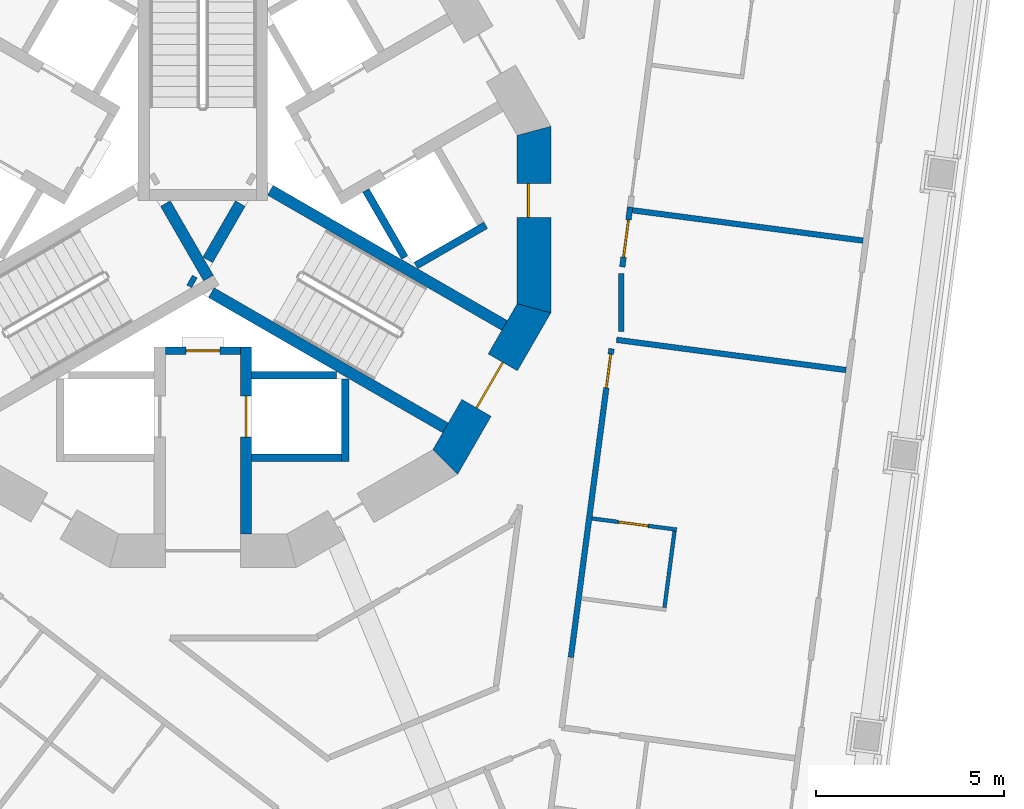
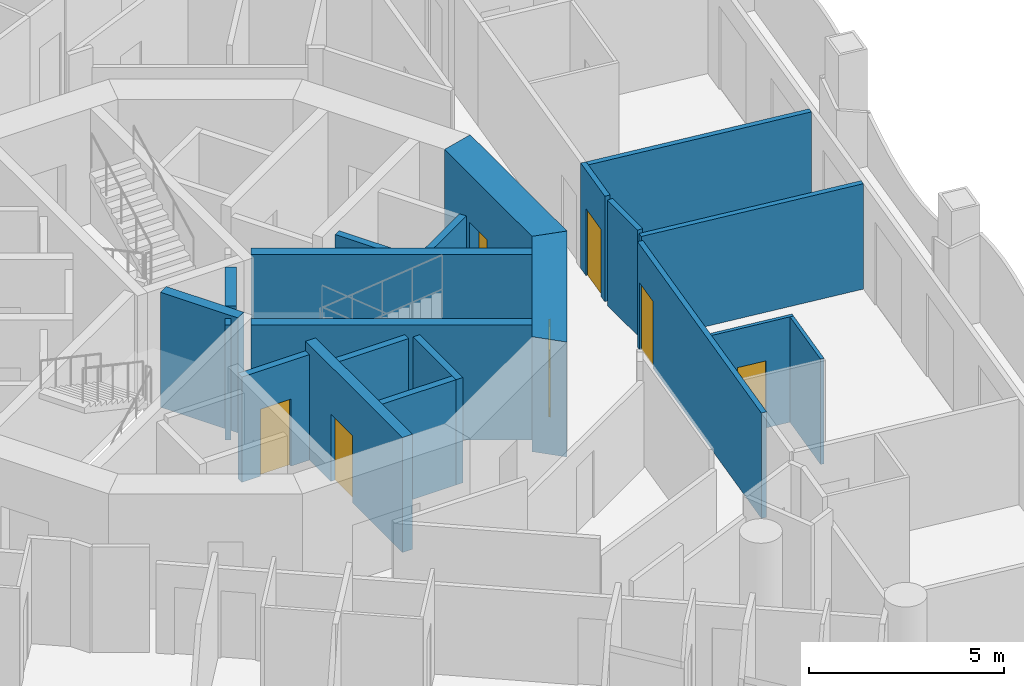
# One storey, part 5 of 17: 21 walls, 7 doors, 7 openings.
"""IFC4 building model written with IfcOpenShell, lengths in metres."""

from ifc_helpers import new_model, si_unit, direction, frame, frame_2d, origin, place, context, subcontext, project, spatial, polyline, rectangle, outline, extrude, material, layer, layer_set, type_object, element, fill, save


model = new_model("IFC4")

# Units and contexts
model_context = context("Model", 3, precision=1e-05, world=origin(), true_north=direction((0.0, 1.0)))
body_context = subcontext(model_context, "Body", "Model", "MODEL_VIEW")
ifc_project = project(units=[si_unit("LENGTHUNIT", "METRE"), si_unit("AREAUNIT", "SQUARE_METRE"), si_unit("VOLUMEUNIT", "CUBIC_METRE"), si_unit("PLANEANGLEUNIT", "RADIAN"), si_unit("MASSUNIT", "GRAM", prefix="KILO")], contexts=[model_context])

# Site, building, storey
site_placement = place(None, origin())
site = spatial("IfcSite", under=ifc_project, at=site_placement, CompositionType="ELEMENT")
building_placement = place(site_placement, origin())
building = spatial("IfcBuilding", under=site, at=building_placement, Name="Trine Commons Tower", CompositionType="ELEMENT")
storey_placement = place(building_placement, frame((0.0, 0.0, 135.0)))
storey = spatial("IfcBuildingStorey", under=building, at=storey_placement, Name="L34", CompositionType="ELEMENT", Elevation=135.0)

# Wall, opening, door
ifc_material_1 = material(Name="Fire-rated gypsum shaft wall system")
ifc_layer_1 = layer(ifc_material_1, 0.199951171875)
ifc_layer_set_1 = layer_set([ifc_layer_1], Name="Fire-rated gypsum shaft wall system")
wall_type_1 = type_object("IfcWallType", Name="Lobby end wall 200 mm, EI 120", PredefinedType="PARTITIONING", material=ifc_layer_set_1)
wall_1_placement = place(storey_placement, frame((79.0, 59.0, 0.0), z_axis=(0.0, 0.0, 1.0), x_axis=(1.0, 0.0, 0.0)))
wall_1 = element("IfcWall", 1, at=wall_1_placement, inside=storey, type_object=wall_type_1, Name="Lobby end wall L34", PredefinedType="PARTITIONING", context=body_context, shape_type="SweptSolid", body=[
    extrude(rectangle(XDim=2.0, YDim=0.199951171875, at=frame_2d((1.0, 0.0))), origin(), (0.0, 0.0, 1.0), 3.300048828125),
])
opening_1_placement = place(wall_1_placement, frame((0.550048828125, 0.0, 0.0)))
opening_1 = element("IfcOpeningElement", 2, at=opening_1_placement, cuts=wall_1, Name="Opening K09.09", PredefinedType="OPENING", context=body_context, shape_type="SweptSolid", body=[
    extrude(rectangle(XDim=0.89990234375, YDim=2.10009765625, at=frame_2d((0.449951171875, 1.050048828125))), frame((0.0, 0.10986328125, 0.0), z_axis=(0.0, -1.0, 0.0), x_axis=(1.0, 0.0, 0.0)), (0.0, 0.0, 1.0), 0.219970703125),
])
ifc_material_2 = material(Name="Steel door leaf, fire-rated", Category="steel")
door_type_1 = type_object("IfcDoorType", Name="Riser access door, single leaf 900 x 2100, FD60", OperationType="SINGLE_SWING_LEFT", PredefinedType="DOOR", material=ifc_material_2)
door_1_placement = place(opening_1_placement, frame((0.89990234375, 0.0, 0.0), z_axis=(0.0, 0.0, 1.0), x_axis=(-1.0, 0.0, 0.0)))
door_1 = element("IfcDoor", 3, at=door_1_placement, inside=storey, type_object=door_type_1, Name="Riser door, Communications riser L34", OperationType="SINGLE_SWING_RIGHT", OverallHeight=2.10009765625, OverallWidth=0.89990234375, PredefinedType="DOOR", context=body_context, shape_type="SweptSolid", body=[
    extrude(rectangle(XDim=0.89990234375, YDim=2.10009765625, at=frame_2d((0.449951171875, 1.050048828125))), frame((0.0, 0.02490234375, 0.0), z_axis=(0.0, -1.0, 0.0), x_axis=(1.0, 0.0, 0.0)), (0.0, 0.0, 1.0), 0.050048828125),
])
fill(opening_1, door_1)

ifc_material_3 = material(Name="Concrete C70/85", Category="concrete")
ifc_layer_2 = layer(ifc_material_3, 0.300048828125)
ifc_layer_set_2 = layer_set([ifc_layer_2], Name="Concrete C70/85")
wall_type_2 = type_object("IfcWallType", Name="RC shear wall 300 mm, C70/85", PredefinedType="SHEAR", material=ifc_layer_set_2)
wall_2_placement = place(storey_placement, frame((81.14990234375, 59.10009765625, 0.0), z_axis=(0.0, 0.0, 1.0), x_axis=(0.0, -1.0, 0.0)))
wall_2 = element("IfcWall", 4, at=wall_2_placement, inside=storey, type_object=wall_type_2, Name="Core cross wall SWB-04 L34", PredefinedType="SHEAR", context=body_context, shape_type="SweptSolid", body=[
    extrude(rectangle(XDim=4.97314453125, YDim=0.300048828125, at=frame_2d((2.486572265625, 0.0))), origin(), (0.0, 0.0, 1.0), 3.60009765625),
])
opening_2_placement = place(wall_2_placement, frame((1.300048828125, 0.0, 0.0)))
opening_2 = element("IfcOpeningElement", 5, at=opening_2_placement, cuts=wall_2, Name="Opening LD9", PredefinedType="OPENING", context=body_context, shape_type="SweptSolid", body=[
    extrude(rectangle(XDim=1.10009765625, YDim=2.10009765625, at=frame_2d((0.550048828125, 1.050048828125))), frame((0.0, 0.159912109375, 0.0), z_axis=(0.0, -1.0, 0.0), x_axis=(1.0, 0.0, 0.0)), (0.0, 0.0, 1.0), 0.320068359375),
])
ifc_material_4 = material(Name="Stainless steel sliding door leaves", Category="steel")
door_type_2 = type_object("IfcDoorType", Name="Lift landing door, centre-opening sliding 1100 x 2100, FD90", OperationType="DOUBLE_DOOR_SLIDING", PredefinedType="DOOR", material=ifc_material_4)
door_2_placement = place(opening_2_placement, origin())
door_2 = element("IfcDoor", 6, at=door_2_placement, inside=storey, type_object=door_type_2, Name="Lift landing door FF1 L34", OperationType="DOUBLE_DOOR_SLIDING", OverallHeight=2.10009765625, OverallWidth=1.10009765625, PredefinedType="DOOR", context=body_context, shape_type="SweptSolid", body=[
    extrude(rectangle(XDim=1.10009765625, YDim=2.10009765625, at=frame_2d((0.550048828125, 1.050048828125))), frame((0.0, 0.02490234375, 0.0), z_axis=(0.0, -1.0, 0.0), x_axis=(1.0, 0.0, 0.0)), (0.0, 0.0, 1.0), 0.050048828125),
])
fill(opening_2, door_2)

# Walls
wall_3_placement = place(storey_placement, frame((79.0029296875, 62.926025390625, 0.0), z_axis=(0.0, 0.0, 1.0), x_axis=(0.499965247104, -0.866045467449, 0.0)))
element("IfcWall", 7, at=wall_3_placement, inside=storey, type_object=wall_type_2, Name="Core cross wall SWB-10 L34", PredefinedType="SHEAR", context=body_context, shape_type="SweptSolid", body=[
    extrude(rectangle(XDim=2.292236328125, YDim=0.300048828125, at=frame_2d((1.14599609375, 0.0))), origin(), (0.0, 0.0, 1.0), 3.60009765625),
])
wall_4_placement = place(storey_placement, frame((79.64599609375, 60.885986328125, 0.0), z_axis=(0.0, 0.0, 1.0), x_axis=(0.867331893649, -0.497730234424, 0.0)))
element("IfcWall", 8, at=wall_4_placement, inside=storey, type_object=wall_type_2, Name="Core cross wall SWB-11 L34", PredefinedType="SHEAR", context=body_context, shape_type="SweptSolid", body=[
    extrude(rectangle(XDim=0.148681640625, YDim=0.300048828125, at=frame_2d((0.07421875, 0.0))), origin(), (0.0, 0.0, 1.0), 3.60009765625),
])
wall_5_placement = place(storey_placement, frame((80.1298828125, 61.424072265625, 0.0), z_axis=(0.0, 0.0, 1.0), x_axis=(0.500014901547, 0.866016800201, 0.0)))
element("IfcWall", 9, at=wall_5_placement, inside=storey, type_object=wall_type_2, Name="Core cross wall SWB-12 L34", PredefinedType="SHEAR", context=body_context, shape_type="SweptSolid", body=[
    extrude(rectangle(XDim=1.734375, YDim=0.300048828125, at=frame_2d((0.8671875, 0.0))), origin(), (0.0, 0.0, 1.0), 3.60009765625),
])
for number, where, z_axis, x_axis, name in (
    (10, (80.22509765625, 60.552001953125, 0.0), (0.0, 0.0, 1.0), (0.866028135082, -0.499995269223, 0.0), "Core cross wall SWB-13 L34"),
    (11, (81.800048828125, 63.280029296875, 0.0), (0.0, 0.0, 1.0), (0.866028135082, -0.499995269223, 0.0), "Core cross wall SWB-18 L34"),
):
    element("IfcWall", number, at=place(storey_placement, frame(where, z_axis=z_axis, x_axis=x_axis)), inside=storey, type_object=wall_type_2, Name=name, PredefinedType="SHEAR", context=body_context, shape_type="SweptSolid", body=[
        extrude(rectangle(XDim=7.2041015625, YDim=0.300048828125, at=frame_2d((3.60205078125, 0.0))), origin(), (0.0, 0.0, 1.0), 3.60009765625),
    ])

# Wall, opening, door
ifc_layer_3 = layer(ifc_material_3, 0.89990234375)
ifc_layer_set_3 = layer_set([ifc_layer_3], Name="Concrete C70/85")
wall_type_3 = type_object("IfcWallType", Name="RC shear wall 900 mm, C70/85", PredefinedType="SHEAR", material=ifc_layer_set_3)
wall_6_placement = place(storey_placement, frame((88.822998046875, 60.015380859375, 0.0), z_axis=(0.0, 0.0, 1.0), x_axis=(0.0, 1.0, 0.0)))
wall_6 = element("IfcWall", 12, at=wall_6_placement, inside=storey, type_object=wall_type_3, Name="Core wall CWD-01 L34", PredefinedType="SHEAR", context=body_context, shape_type="SweptSolid", body=[
    extrude(outline(polyline([(0.0, -0.449951171875), (4.969482421875, -0.449951171875), (4.728271484375, 0.449951171875), (0.2412109375, 0.449951171875), (0.0, -0.449951171875)])), origin(), (0.0, 0.0, 1.0), 3.60009765625),
])
opening_3_placement = place(wall_6_placement, frame((2.543701171875, 0.0, 0.0)))
opening_3 = element("IfcOpeningElement", 13, at=opening_3_placement, cuts=wall_6, Name="Opening K09.10", PredefinedType="OPENING", context=body_context, shape_type="SweptSolid", body=[
    extrude(rectangle(XDim=0.89990234375, YDim=2.10009765625, at=frame_2d((0.449951171875, 1.050048828125))), frame((0.0, 0.4599609375, 0.0), z_axis=(0.0, -1.0, 0.0), x_axis=(1.0, 0.0, 0.0)), (0.0, 0.0, 1.0), 0.919921875),
])
door_type_3 = type_object("IfcDoorType", Name="Core room door, single leaf 900 x 2100, FD30S", OperationType="SINGLE_SWING_LEFT", PredefinedType="DOOR", material=ifc_material_2)
door_3_placement = place(opening_3_placement, origin())
door_3 = element("IfcDoor", 14, at=door_3_placement, inside=storey, type_object=door_type_3, Name="Door to Core WC L34", OperationType="SINGLE_SWING_RIGHT", OverallHeight=2.10009765625, OverallWidth=0.89990234375, PredefinedType="DOOR", context=body_context, shape_type="SweptSolid", body=[
    extrude(rectangle(XDim=0.89990234375, YDim=2.10009765625, at=frame_2d((0.449951171875, 1.050048828125))), frame((0.0, 0.1748046875, 0.0), z_axis=(0.0, -1.0, 0.0), x_axis=(1.0, 0.0, 0.0)), (0.0, 0.0, 1.0), 0.050048828125),
])
fill(opening_3, door_3)

wall_7_placement = place(storey_placement, frame((86.3984375, 55.936767578125, 0.0), z_axis=(0.0, 0.0, 1.0), x_axis=(0.500038571144, 0.866003133579, 0.0)))
wall_7 = element("IfcWall", 15, at=wall_7_placement, inside=storey, type_object=wall_type_3, Name="Core wall CWD-12 L34", PredefinedType="SHEAR", context=body_context, shape_type="SweptSolid", body=[
    extrude(outline(polyline([(0.0, -0.449951171875), (4.96923828125, -0.449951171875), (4.72802734375, 0.449951171875), (0.2412109375, 0.449951171875), (0.0, -0.449951171875)])), origin(), (0.0, 0.0, 1.0), 3.60009765625),
])
opening_4_placement = place(wall_7_placement, frame((1.78466796875, 0.0, 0.0)))
opening_4 = element("IfcOpeningElement", 16, at=opening_4_placement, cuts=wall_7, Name="Opening K09.03", PredefinedType="OPENING", context=body_context, shape_type="SweptSolid", body=[
    extrude(rectangle(XDim=1.39990234375, YDim=2.10009765625, at=frame_2d((0.699951171875, 1.050048828125))), frame((0.0, 0.4599609375, 0.0), z_axis=(0.0, -1.0, 0.0), x_axis=(1.0, 0.0, 0.0)), (0.0, 0.0, 1.0), 0.919921875),
])
ifc_material_5 = material(Name="Steel door leaves, fire-rated", Category="steel")
door_type_4 = type_object("IfcDoorType", Name="Stair door, double leaf 1400 x 2100, FD90", OperationType="DOUBLE_DOOR_SINGLE_SWING", PredefinedType="DOOR", material=ifc_material_5)
door_4_placement = place(opening_4_placement, origin())
door_4 = element("IfcDoor", 17, at=door_4_placement, inside=storey, type_object=door_type_4, Name="Stair door to Exit stair ST3B L34", OperationType="DOUBLE_DOOR_SINGLE_SWING", OverallHeight=2.10009765625, OverallWidth=1.39990234375, PredefinedType="DOOR", context=body_context, shape_type="SweptSolid", body=[
    extrude(rectangle(XDim=1.39990234375, YDim=2.10009765625, at=frame_2d((0.699951171875, 1.050048828125))), frame((0.0, 0.02490234375, 0.0), z_axis=(0.0, -1.0, 0.0), x_axis=(1.0, 0.0, 0.0)), (0.0, 0.0, 1.0), 0.050048828125),
])
fill(opening_4, door_4)

# Walls
ifc_layer_4 = layer(ifc_material_1, 0.199951171875)
ifc_layer_set_4 = layer_set([ifc_layer_4], Name="Fire-rated gypsum shaft wall system")
wall_type_4 = type_object("IfcWallType", Name="Shaft wall 200 mm, EI 120", PredefinedType="PARTITIONING", material=ifc_layer_set_4)
wall_8_placement = place(storey_placement, frame((81.300048828125, 56.14990234375, 0.0), z_axis=(0.0, 0.0, 1.0), x_axis=(1.0, 0.0, 0.0)))
element("IfcWall", 18, at=wall_8_placement, inside=storey, type_object=wall_type_4, Name="Shaft wall L34", PredefinedType="PARTITIONING", context=body_context, shape_type="SweptSolid", body=[
    extrude(rectangle(XDim=2.39990234375, YDim=0.199951171875, at=frame_2d((1.199951171875, 0.0))), origin(), (0.0, 0.0, 1.0), 3.300048828125),
])
wall_9_placement = place(storey_placement, frame((81.300048828125, 58.35009765625, 0.0), z_axis=(0.0, 0.0, 1.0), x_axis=(1.0, 0.0, 0.0)))
element("IfcWall", 19, at=wall_9_placement, inside=storey, type_object=wall_type_4, Name="Shaft wall L34", PredefinedType="PARTITIONING", context=body_context, shape_type="SweptSolid", body=[
    extrude(rectangle(XDim=2.264892578125, YDim=0.199951171875, at=frame_2d((1.13232421875, 0.0))), origin(), (0.0, 0.0, 1.0), 3.300048828125),
])
wall_10_placement = place(storey_placement, frame((83.800048828125, 58.257080078125, 0.0), z_axis=(0.0, 0.0, 1.0), x_axis=(0.0, -1.0, 0.0)))
element("IfcWall", 20, at=wall_10_placement, inside=storey, type_object=wall_type_4, Name="Shaft wall L34", PredefinedType="PARTITIONING", context=body_context, shape_type="SweptSolid", body=[
    extrude(rectangle(XDim=2.20703125, YDim=0.199951171875, at=frame_2d((1.103515625, 0.0))), origin(), (0.0, 0.0, 1.0), 3.300048828125),
])
wall_11_placement = place(storey_placement, frame((84.343994140625, 63.27587890625, 0.0), z_axis=(0.0, 0.0, 1.0), x_axis=(0.500271688072, -0.86586848777, 0.0)))
element("IfcWall", 21, at=wall_11_placement, inside=storey, type_object=wall_type_4, Name="Shaft wall L34", PredefinedType="PARTITIONING", context=body_context, shape_type="SweptSolid", body=[
    extrude(rectangle(XDim=2.064697265625, YDim=0.199951171875, at=frame_2d((1.0322265625, 0.0))), origin(), (0.0, 0.0, 1.0), 3.300048828125),
])
wall_12_placement = place(storey_placement, frame((85.675048828125, 61.27392578125, 0.0), z_axis=(0.0, 0.0, 1.0), x_axis=(0.866102336459, 0.499866725018, 0.0)))
element("IfcWall", 22, at=wall_12_placement, inside=storey, type_object=wall_type_4, Name="Shaft wall L34", PredefinedType="PARTITIONING", context=body_context, shape_type="SweptSolid", body=[
    extrude(rectangle(XDim=2.1484375, YDim=0.199951171875, at=frame_2d((1.07421875, 0.0))), origin(), (0.0, 0.0, 1.0), 3.300048828125),
])

# Wall, opening, door
ifc_material_6 = material(Name="Gypsum plasterboard on steel stud", Category="steel")
ifc_layer_5 = layer(ifc_material_6, 0.14990234375)
ifc_layer_set_5 = layer_set([ifc_layer_5], Name="Gypsum plasterboard on steel stud")
wall_type_5 = type_object("IfcWallType", Name="Unit and corridor wall 150 mm, EI 60", PredefinedType="PARTITIONING", material=ifc_layer_set_5)
wall_13_placement = place(storey_placement, frame((89.804931640625, 50.8349609375, 0.0), z_axis=(0.0, 0.0, 1.0), x_axis=(0.130544339744, 0.991442472038, 0.0)))
wall_13 = element("IfcWall", 23, at=wall_13_placement, inside=storey, type_object=wall_type_5, Name="Partition 117", PredefinedType="PARTITIONING", context=body_context, shape_type="SweptSolid", body=[
    extrude(rectangle(XDim=8.296142578125, YDim=0.14990234375, at=frame_2d((4.14794921875, 0.0))), origin(), (0.0, 0.0, 1.0), 3.300048828125),
])
opening_5_placement = place(wall_13_placement, frame((7.24609375, 0.0, 0.0)))
opening_5 = element("IfcOpeningElement", 24, at=opening_5_placement, cuts=wall_13, Name="Opening D-4B18", PredefinedType="OPENING", context=body_context, shape_type="SweptSolid", body=[
    extrude(rectangle(XDim=0.89990234375, YDim=2.10009765625, at=frame_2d((0.449951171875, 1.050048828125))), frame((0.0, 0.0849609375, 0.0), z_axis=(0.0, -1.0, 0.0), x_axis=(1.0, 0.0, 0.0)), (0.0, 0.0, 1.0), 0.169921875),
])
ifc_material_7 = material(Name="Timber fire door set", Category="wood")
door_type_5 = type_object("IfcDoorType", Name="Bedroom door 900 x 2100, FD30S", OperationType="NOTDEFINED", PredefinedType="DOOR", material=ifc_material_7)
door_5_placement = place(opening_5_placement, frame((0.89990234375, 0.0, 0.0), z_axis=(0.0, 0.0, 1.0), x_axis=(-1.0, 0.0, 0.0)))
door_5 = element("IfcDoor", 25, at=door_5_placement, inside=storey, type_object=door_type_5, Name="Door D-4B18", OperationType="SINGLE_SWING_LEFT", OverallHeight=2.10009765625, OverallWidth=0.89990234375, PredefinedType="DOOR", context=body_context, shape_type="SweptSolid", body=[
    extrude(rectangle(XDim=0.89990234375, YDim=2.10009765625, at=frame_2d((0.449951171875, 1.050048828125))), frame((0.0, 0.02490234375, 0.0), z_axis=(0.0, -1.0, 0.0), x_axis=(1.0, 0.0, 0.0)), (0.0, 0.0, 1.0), 0.050048828125),
])
fill(opening_5, door_5)

# Walls
wall_14_placement = place(storey_placement, frame((91.02197265625, 59.294921875, 0.0), z_axis=(0.0, 0.0, 1.0), x_axis=(0.991450522243, -0.130483186444, 0.0)))
element("IfcWall", 26, at=wall_14_placement, inside=storey, type_object=wall_type_5, Name="Partition 123", PredefinedType="PARTITIONING", context=body_context, shape_type="SweptSolid", body=[
    extrude(rectangle(XDim=6.1669921875, YDim=0.14990234375, at=frame_2d((3.08349609375, 0.0))), origin(), (0.0, 0.0, 1.0), 3.300048828125),
])
wall_15_placement = place(storey_placement, frame((91.14794921875, 59.512939453125, 0.0), z_axis=(0.0, 0.0, 1.0), x_axis=(0.0, 1.0, 0.0)))
element("IfcWall", 27, at=wall_15_placement, inside=storey, type_object=wall_type_5, Name="Partition 125", PredefinedType="PARTITIONING", context=body_context, shape_type="SweptSolid", body=[
    extrude(rectangle(XDim=1.550048828125, YDim=0.14990234375, at=frame_2d((0.77490234375, 0.0))), origin(), (0.0, 0.0, 1.0), 3.300048828125),
])

# Wall, opening, door
wall_16_placement = place(storey_placement, frame((91.175048828125, 61.237060546875, 0.0), z_axis=(0.0, 0.0, 1.0), x_axis=(0.130168355053, 0.991491905838, 0.0)))
wall_16 = element("IfcWall", 28, at=wall_16_placement, inside=storey, type_object=wall_type_5, Name="Partition 126", PredefinedType="PARTITIONING", context=body_context, shape_type="SweptSolid", body=[
    extrude(rectangle(XDim=1.611083984375, YDim=0.14990234375, at=frame_2d((0.8056640625, 0.0))), origin(), (0.0, 0.0, 1.0), 3.300048828125),
])
opening_6_placement = place(wall_16_placement, frame((0.26611328125, 0.0, 0.0)))
opening_6 = element("IfcOpeningElement", 29, at=opening_6_placement, cuts=wall_16, Name="Opening D-4B17", PredefinedType="OPENING", context=body_context, shape_type="SweptSolid", body=[
    extrude(rectangle(XDim=1.0, YDim=2.10009765625, at=frame_2d((0.5, 1.050048828125))), frame((0.0, 0.0849609375, 0.0), z_axis=(0.0, -1.0, 0.0), x_axis=(1.0, 0.0, 0.0)), (0.0, 0.0, 1.0), 0.169921875),
])
ifc_material_8 = material(Name="Painted timber", Category="wood")
door_type_6 = type_object("IfcDoorType", Name="Amenity room door 1000 x 2100, NOT RATED", OperationType="NOTDEFINED", PredefinedType="DOOR", material=ifc_material_8)
door_6_placement = place(opening_6_placement, frame((1.0, 0.0, 0.0), z_axis=(0.0, 0.0, 1.0), x_axis=(-1.0, 0.0, 0.0)))
door_6 = element("IfcDoor", 30, at=door_6_placement, inside=storey, type_object=door_type_6, Name="Door D-4B17", OperationType="SINGLE_SWING_RIGHT", OverallHeight=2.10009765625, OverallWidth=1.0, PredefinedType="DOOR", context=body_context, shape_type="SweptSolid", body=[
    extrude(rectangle(XDim=1.0, YDim=2.10009765625, at=frame_2d((0.5, 1.050048828125))), frame((0.0, 0.02490234375, 0.0), z_axis=(0.0, -1.0, 0.0), x_axis=(1.0, 0.0, 0.0)), (0.0, 0.0, 1.0), 0.050048828125),
])
fill(opening_6, door_6)

# Wall
wall_17_placement = place(storey_placement, frame((91.449462890625, 62.74609375, 0.0), z_axis=(0.0, 0.0, 1.0), x_axis=(0.991457381012, -0.130431060858, 0.0)))
element("IfcWall", 31, at=wall_17_placement, inside=storey, type_object=wall_type_5, Name="Partition 128", PredefinedType="PARTITIONING", context=body_context, shape_type="SweptSolid", body=[
    extrude(rectangle(XDim=6.19384765625, YDim=0.14990234375, at=frame_2d((3.096923828125, 0.0))), origin(), (0.0, 0.0, 1.0), 3.300048828125),
])

# Wall, opening, door
ifc_layer_6 = layer(ifc_material_6, 0.10009765625)
ifc_layer_set_6 = layer_set([ifc_layer_6], Name="Gypsum plasterboard on steel stud")
wall_type_6 = type_object("IfcWallType", Name="Unit partition 100 mm, no rating", PredefinedType="PARTITIONING", material=ifc_layer_set_6)
wall_18_placement = place(storey_placement, frame((90.368408203125, 54.53515625, 0.0), z_axis=(0.0, 0.0, 1.0), x_axis=(0.991459774706, -0.130412864162, 0.0)))
wall_18 = element("IfcWall", 32, at=wall_18_placement, inside=storey, type_object=wall_type_6, Name="Partition 121", PredefinedType="PARTITIONING", context=body_context, shape_type="SweptSolid", body=[
    extrude(rectangle(XDim=2.274658203125, YDim=0.10009765625, at=frame_2d((1.13720703125, 0.0))), origin(), (0.0, 0.0, 1.0), 3.300048828125),
])
opening_7_placement = place(wall_18_placement, frame((0.71240234375, 0.0, 0.0)))
opening_7 = element("IfcOpeningElement", 33, at=opening_7_placement, cuts=wall_18, Name="Opening D-4B48", PredefinedType="OPENING", context=body_context, shape_type="SweptSolid", body=[
    extrude(rectangle(XDim=0.800048828125, YDim=2.10009765625, at=frame_2d((0.39990234375, 1.050048828125))), frame((0.0, 0.06005859375, 0.0), z_axis=(0.0, -1.0, 0.0), x_axis=(1.0, 0.0, 0.0)), (0.0, 0.0, 1.0), 0.1201171875),
])
door_type_7 = type_object("IfcDoorType", Name="Internal door 800 x 2100, NOT RATED", OperationType="NOTDEFINED", PredefinedType="DOOR", material=ifc_material_8)
door_7_placement = place(opening_7_placement, origin())
door_7 = element("IfcDoor", 34, at=door_7_placement, inside=storey, type_object=door_type_7, Name="Door D-4B48", OperationType="SINGLE_SWING_LEFT", OverallHeight=2.10009765625, OverallWidth=0.800048828125, PredefinedType="DOOR", context=body_context, shape_type="SweptSolid", body=[
    extrude(rectangle(XDim=0.800048828125, YDim=2.10009765625, at=frame_2d((0.39990234375, 1.050048828125))), frame((0.0, 0.02490234375, 0.0), z_axis=(0.0, -1.0, 0.0), x_axis=(1.0, 0.0, 0.0)), (0.0, 0.0, 1.0), 0.050048828125),
])
fill(opening_7, door_7)

# Wall
wall_19_placement = place(storey_placement, frame((92.299560546875, 52.16259765625, 0.0), z_axis=(0.0, 0.0, 1.0), x_axis=(0.130627005462, 0.991431583844, 0.0)))
element("IfcWall", 35, at=wall_19_placement, inside=storey, type_object=wall_type_6, Name="Partition 134", PredefinedType="PARTITIONING", context=body_context, shape_type="SweptSolid", body=[
    extrude(rectangle(XDim=2.05029296875, YDim=0.10009765625, at=frame_2d((1.025146484375, 0.0))), origin(), (0.0, 0.0, 1.0), 3.300048828125),
])

save(model, "model.ifc")
